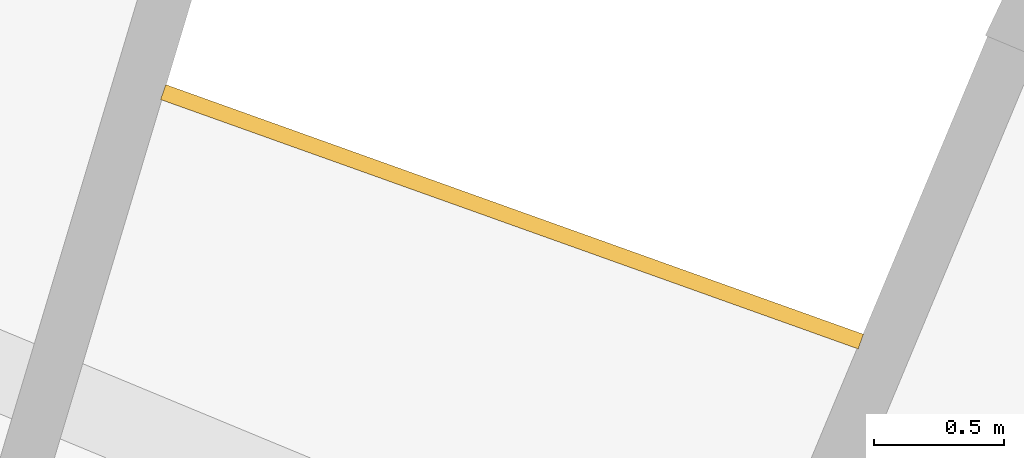
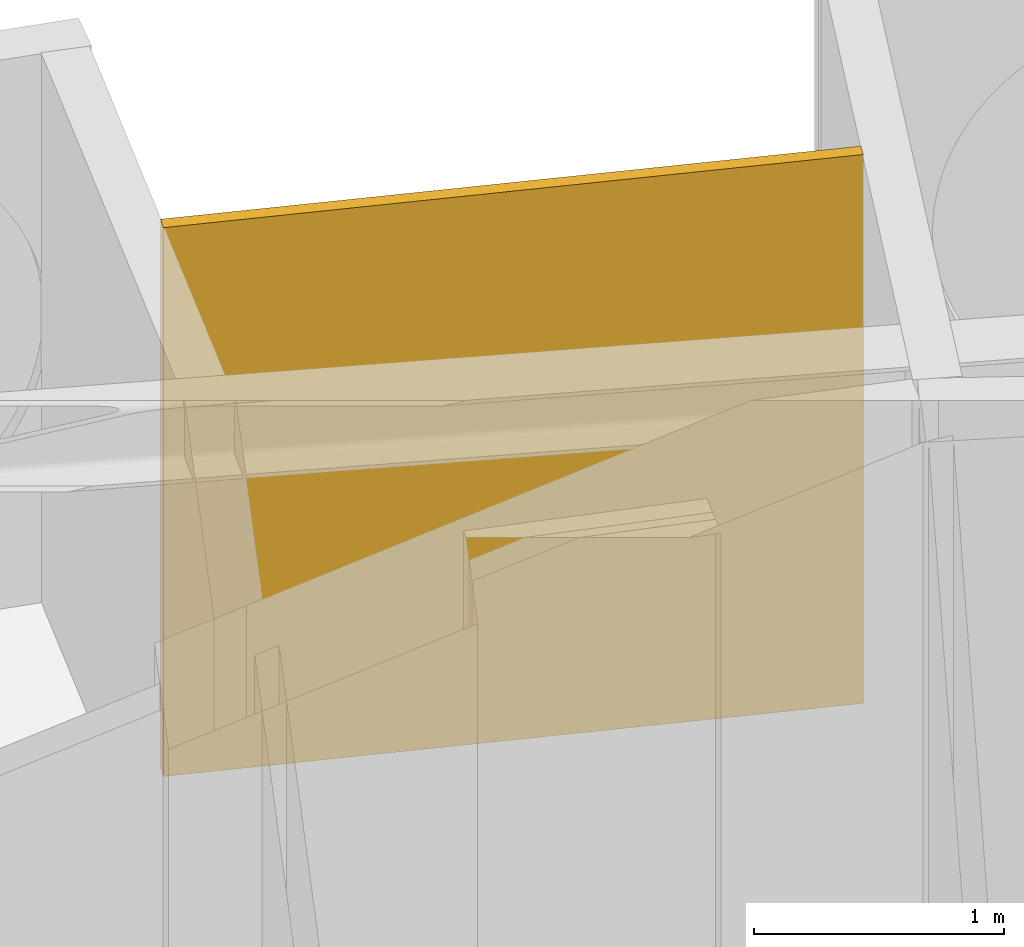
# One storey, part 28 of 28: 1 railing.
"""IFC4 building model written with IfcOpenShell, lengths in metres."""

from ifc_helpers import new_model, si_unit, direction, frame, origin, place, context, subcontext, project, spatial, polyline, outline, extrude, material, layer, layer_set, type_object, element, save


model = new_model("IFC4")

# Units and contexts
model_context = context("Model", 3, precision=1e-05, world=origin(), true_north=direction((0.0, 1.0)))
body_context = subcontext(model_context, "Body", "Model", "MODEL_VIEW")
ifc_project = project(units=[si_unit("LENGTHUNIT", "METRE"), si_unit("AREAUNIT", "SQUARE_METRE"), si_unit("VOLUMEUNIT", "CUBIC_METRE"), si_unit("PLANEANGLEUNIT", "RADIAN"), si_unit("MASSUNIT", "GRAM", prefix="KILO")], contexts=[model_context])

# Site, building, storey
site_placement = place(None, origin())
site = spatial("IfcSite", under=ifc_project, at=site_placement, CompositionType="ELEMENT")
building_placement = place(site_placement, origin())
building = spatial("IfcBuilding", under=site, at=building_placement, Name="Maasbend Ring Residences", CompositionType="ELEMENT")
storey_placement = place(building_placement, frame((0.0, 0.0, 218.800048828125)))
storey = spatial("IfcBuildingStorey", under=building, at=storey_placement, Name="L63", CompositionType="ELEMENT", Elevation=218.800048828125)

# Railing
ifc_material = material(Name="Pale anodised perforated aluminium", Category="aluminium")
ifc_layer = layer(ifc_material, 0.06005859375)
ifc_layer_set = layer_set([ifc_layer], Name="SCREEN-P")
railing_type = type_object("IfcRailingType", Name="SCREEN-P", PredefinedType="GUARDRAIL", material=ifc_layer_set)
railing_placement = place(storey_placement, frame((0.0, 0.0, -0.030029296875)))
element("IfcRailing", 1, at=railing_placement, inside=storey, type_object=railing_type, Name="Perforated screen guard 4", PredefinedType="GUARDRAIL", context=body_context, shape_type="SweptSolid", body=[
    extrude(outline(polyline([(11.097900390625, 26.79296875), (8.41796875, 27.7509765625), (8.43798828125, 27.80810546875), (11.117919921875, 26.84912109375), (11.097900390625, 26.79296875)])), origin(), (0.0, 0.0, 1.0), 2.679931640625),
])

save(model, "model.ifc")
